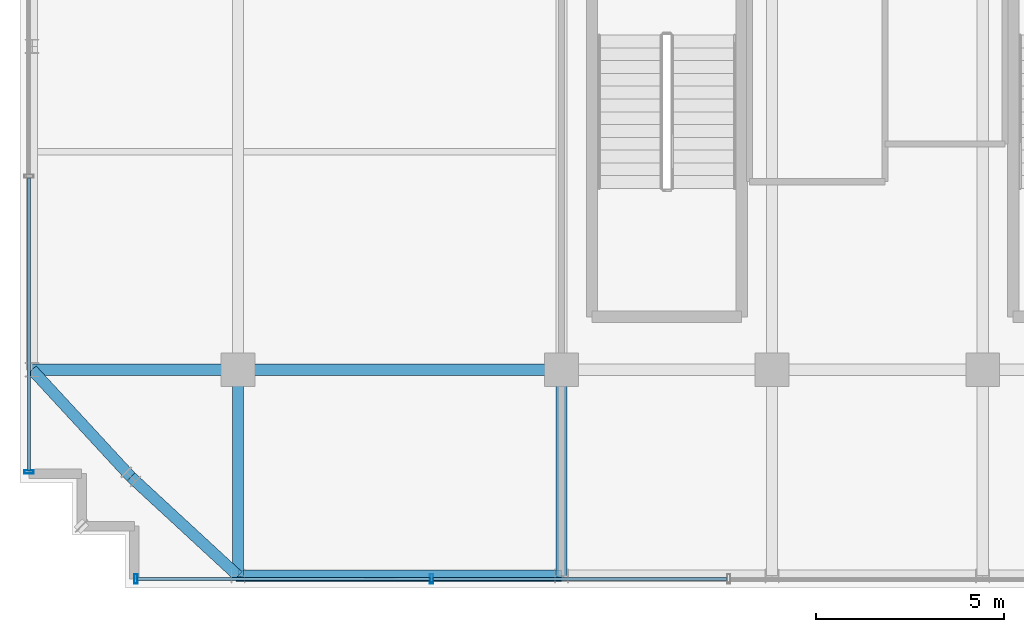
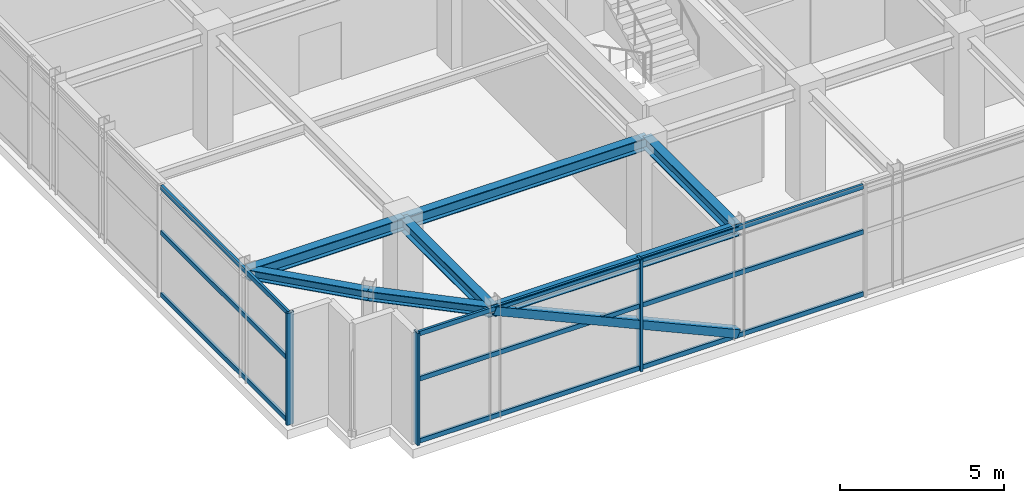
# One storey, part 4 of 26: 13 members, 7 beams, 2 elements without a shape of their own.
"""IFC4 building model written with IfcOpenShell, lengths in metres."""

from ifc_helpers import new_model, si_unit, direction, frame, origin, origin_2d, place, context, subcontext, project, spatial, hollow_rectangle, i_section, extrude, source, transform, mapped, material, material_profile, profile_set, type_object, element, aggregate, save


model = new_model("IFC4")

# Units and contexts
model_context = context("Model", 3, precision=1e-05, world=origin(), true_north=direction((0.0, 1.0)))
body_context = subcontext(model_context, "Body", "Model", "MODEL_VIEW")
ifc_project = project(units=[si_unit("LENGTHUNIT", "METRE"), si_unit("AREAUNIT", "SQUARE_METRE"), si_unit("VOLUMEUNIT", "CUBIC_METRE"), si_unit("PLANEANGLEUNIT", "RADIAN"), si_unit("MASSUNIT", "GRAM", prefix="KILO")], contexts=[model_context])

# Site, building, storey
site_placement = place(None, origin())
site = spatial("IfcSite", under=ifc_project, at=site_placement, CompositionType="ELEMENT")
building_placement = place(site_placement, origin())
building = spatial("IfcBuilding", under=site, at=building_placement, Name="Nahalor Promenade Grand Hotel", CompositionType="ELEMENT")
storey_placement = place(building_placement, frame((0.0, 0.0, 343.050048828125)))
storey = spatial("IfcBuildingStorey", under=building, at=storey_placement, Name="L88", CompositionType="ELEMENT", Elevation=343.050048828125)

# Beams
ifc_material_1 = material(Name="Steel S355JR", Category="steel")
ifc_material_profile_1 = material_profile(ifc_material_1, i_section(OverallWidth=0.3, OverallDepth=0.45, WebThickness=0.014, FlangeThickness=0.026, at=origin_2d()), Name="HEB 450")
ifc_profile_set_1 = profile_set([ifc_material_profile_1], Name="Steel S355JR")
beam_type_1 = type_object("IfcBeamType", Name="Beam-Girder-HEB450", PredefinedType="BEAM", material=ifc_profile_set_1)
shared_shape_1 = source(origin(), body_context, "Body", "SweptSolid", [
    extrude(i_section(OverallWidth=0.3, OverallDepth=0.45, WebThickness=0.014, FlangeThickness=0.026, at=origin_2d()), origin(), (0.0, 0.0, 1.0), 8.60009765625),
])
beam_1_placement = place(storey_placement, frame((-17.0, -17.0, 3.945068359375), z_axis=(1.0, 0.0, 0.0), x_axis=(0.0, 1.0, 0.0)))
element("IfcBeam", 1, at=beam_1_placement, inside=storey, type_object=beam_type_1, Name="BM-L88-GX-0-1", PredefinedType="BEAM", context=body_context, shape_type="MappedRepresentation", body=[
    mapped(shared_shape_1, transform((0.0, 0.0, 0.0), scale=1.0)),
])
shared_shape_2 = source(origin(), body_context, "Body", "SweptSolid", [
    extrude(i_section(OverallWidth=0.3, OverallDepth=0.45, WebThickness=0.014, FlangeThickness=0.026, at=origin_2d()), origin(), (0.0, 0.0, 1.0), 5.47998046875),
])
for number, where, z_axis, x_axis, name in (
    (2, (-22.47998046875, -17.0, 3.945068359375), (1.0, 0.0, 0.0), (0.0, 1.0, 0.0), "BM-L88-GX-0-0"),
    (3, (-17.0, -22.47998046875, 3.945068359375), (0.0, 1.0, 0.0), (-1.0, 0.0, 0.0), "BM-L88-GY-0-0"),
    (4, (-8.39990234375, -22.47998046875, 3.945068359375), (0.0, 1.0, 0.0), (-1.0, 0.0, 0.0), "BM-L88-GY-1-0"),
):
    element("IfcBeam", number, at=place(storey_placement, frame(where, z_axis=z_axis, x_axis=x_axis)), inside=storey, type_object=beam_type_1, Name=name, PredefinedType="BEAM", context=body_context, shape_type="MappedRepresentation", body=[
        mapped(shared_shape_2, transform((0.0, 0.0, 0.0), scale=1.0)),
    ])
ifc_material_profile_2 = material_profile(ifc_material_1, i_section(OverallWidth=0.3, OverallDepth=0.36, WebThickness=0.0125, FlangeThickness=0.0225, at=origin_2d()), Name="HEB 360")
ifc_profile_set_2 = profile_set([ifc_material_profile_2], Name="Steel S355JR")
beam_type_2 = type_object("IfcBeamType", Name="Beam-Spandrel-HEB360", PredefinedType="SPANDREL", material=ifc_profile_set_2)
shared_shape_3 = source(origin(), body_context, "Body", "SweptSolid", [
    extrude(i_section(OverallWidth=0.3, OverallDepth=0.36, WebThickness=0.0125, FlangeThickness=0.0225, at=origin_2d()), origin(), (0.0, 0.0, 1.0), 8.60009765625),
])
beam_2_placement = place(storey_placement, frame((-17.0, -22.47998046875, 3.989990234375), z_axis=(1.0, 0.0, 0.0), x_axis=(0.0, 1.0, 0.0)))
element("IfcBeam", 5, at=beam_2_placement, inside=storey, type_object=beam_type_2, Name="BM-L88-SP-S-0", PredefinedType="SPANDREL", context=body_context, shape_type="MappedRepresentation", body=[
    mapped(shared_shape_3, transform((0.0, 0.0, 0.0), scale=1.0)),
])
shared_shape_4 = source(origin(), body_context, "Body", "SweptSolid", [
    extrude(i_section(OverallWidth=0.3, OverallDepth=0.36, WebThickness=0.0125, FlangeThickness=0.0225, at=origin_2d()), origin(), (0.0, 0.0, 1.0), 3.878173828125),
])
for number, where, z_axis, x_axis, name in (
    (6, (-17.0, -22.47998046875, 3.989990234375), (-0.73492893846, 0.678144125843, 0.0), (-0.678144125843, -0.73492893846, 0.0), "BM-L88-SPC-SW-1"),
    (7, (-19.85009765625, -19.85009765625, 3.989990234375), (-0.678144125843, 0.73492893846, 0.0), (-0.73492893846, -0.678144125843, 0.0), "BM-L88-SPC-SW-2"),
):
    element("IfcBeam", number, at=place(storey_placement, frame(where, z_axis=z_axis, x_axis=x_axis)), inside=storey, type_object=beam_type_2, Name=name, PredefinedType="SPANDREL", context=body_context, shape_type="MappedRepresentation", body=[
        mapped(shared_shape_4, transform((0.0, 0.0, 0.0), scale=1.0)),
    ])

# Member
ifc_material_profile_3 = material_profile(ifc_material_1, hollow_rectangle(XDim=0.3, YDim=0.3, WallThickness=0.016, at=origin_2d()), Name="SHS 300x300x16")
ifc_profile_set_3 = profile_set([ifc_material_profile_3], Name="Steel S355JR")
member_type_1 = type_object("IfcMemberType", Name="Mem-CrownBrace-SHS300", PredefinedType="BRACE", material=ifc_profile_set_3)
shared_shape_5 = source(origin(), body_context, "Body", "SweptSolid", [
    extrude(hollow_rectangle(XDim=0.3, YDim=0.3, WallThickness=0.016, at=origin_2d()), origin(), (0.0, 0.0, 1.0), 9.4306640625),
])
member_1_placement = place(storey_placement, frame((-8.39990234375, -22.47998046875, 0.14990234375), z_axis=(-0.911918598846, 0.0, 0.410371135778), x_axis=(0.0, -1.0, 0.0)))
element("IfcMember", 8, at=member_1_placement, inside=storey, type_object=member_type_1, Name="EXO-L88-S-0", PredefinedType="BRACE", context=body_context, shape_type="MappedRepresentation", body=[
    mapped(shared_shape_5, transform((0.0, 0.0, 0.0), scale=1.0)),
])

# Curtain wall, members
ifc_material_2 = material(Name="Anodised Bronze Aluminium EN AW-6063 T6", Category="aluminium")
curtain_wall_type = type_object("IfcCurtainWallType", Name="CW5 Sky-Lobby & Observation Panoramic Curtain Wall", PredefinedType="USERDEFINED", material=ifc_material_2)
curtain_wall_1_placement = place(storey_placement, origin())
curtain_wall_1 = element("IfcCurtainWall", 9, at=curtain_wall_1_placement, inside=storey, type_object=curtain_wall_type, Name="L88 Curtain Wall CW-L88-S-1", ObjectType="UNITISED_CURTAIN_WALL", PredefinedType="USERDEFINED")
ifc_material_profile_4 = material_profile(ifc_material_2, hollow_rectangle(XDim=0.085, YDim=0.25, WallThickness=0.006, at=origin_2d()), Name="CWM 85x250x6")
ifc_profile_set_4 = profile_set([ifc_material_profile_4], Name="Anodised Bronze Aluminium EN AW-6063 T6")
member_type_2 = type_object("IfcMemberType", Name="CWM5 Panoramic Deep Mullion 85x250", PredefinedType="MULLION", material=ifc_profile_set_4)
shared_shape_6 = source(origin(), body_context, "Body", "SweptSolid", [
    extrude(hollow_rectangle(XDim=0.085, YDim=0.25, WallThickness=0.006, at=origin_2d()), origin(), (0.0, 0.0, 1.0), 4.169921875),
])
member_2_placement = place(storey_placement, frame((-19.717529296875, -22.56005859375, 0.0), z_axis=(0.0, 0.0, 1.0), x_axis=(1.0, 0.0, 0.0)))
member_2 = element("IfcMember", 10, at=member_2_placement, type_object=member_type_2, Name="CW-L88-S-1 Mullion 0", PredefinedType="MULLION", context=body_context, shape_type="MappedRepresentation", body=[
    mapped(shared_shape_6, transform((0.0, 0.0, 0.0), scale=1.0)),
])
member_3_placement = place(storey_placement, frame((-11.85595703125, -22.56005859375, 0.0), z_axis=(0.0, 0.0, 1.0), x_axis=(1.0, 0.0, 0.0)))
member_3 = element("IfcMember", 11, at=member_3_placement, type_object=member_type_2, Name="CW-L88-S-1 Mullion 1", PredefinedType="MULLION", context=body_context, shape_type="MappedRepresentation", body=[
    mapped(shared_shape_6, transform((0.0, 0.0, 0.0), scale=1.0)),
])

# Curtain wall, member
curtain_wall_2_placement = place(storey_placement, origin())
curtain_wall_2 = element("IfcCurtainWall", 12, at=curtain_wall_2_placement, inside=storey, type_object=curtain_wall_type, Name="L88 Curtain Wall CW-L88-W-1", ObjectType="UNITISED_CURTAIN_WALL", PredefinedType="USERDEFINED")
member_4_placement = place(storey_placement, frame((-22.56005859375, -19.717529296875, 0.0), z_axis=(0.0, 0.0, 1.0), x_axis=(0.0, 1.0, 0.0)))
member_4 = element("IfcMember", 13, at=member_4_placement, type_object=member_type_2, Name="CW-L88-W-1 Mullion 0", PredefinedType="MULLION", context=body_context, shape_type="MappedRepresentation", body=[
    mapped(shared_shape_6, transform((0.0, 0.0, 0.0), scale=1.0)),
])

# Member
ifc_material_profile_5 = material_profile(ifc_material_2, hollow_rectangle(XDim=0.085, YDim=0.17, WallThickness=0.005, at=origin_2d()), Name="CWT 85x170x5")
ifc_profile_set_5 = profile_set([ifc_material_profile_5], Name="Anodised Bronze Aluminium EN AW-6063 T6")
member_type_3 = type_object("IfcMemberType", Name="CWT5 Panoramic Transom 85x170", PredefinedType="USERDEFINED", material=ifc_profile_set_5)
shared_shape_7 = source(origin(), body_context, "Body", "SweptSolid", [
    extrude(hollow_rectangle(XDim=0.085, YDim=0.17, WallThickness=0.005, at=origin_2d()), origin(), (0.0, 0.0, 1.0), 7.776611328125),
])
member_5_placement = place(storey_placement, frame((-19.675048828125, -22.56005859375, 0.0849609375), z_axis=(1.0, 0.0, 0.0), x_axis=(0.0, 1.0, 0.0)))
member_5 = element("IfcMember", 14, at=member_5_placement, type_object=member_type_3, Name="CW-L88-S-1 Transom 0-0", ObjectType="TRANSOM", PredefinedType="USERDEFINED", context=body_context, shape_type="MappedRepresentation", body=[
    mapped(shared_shape_7, transform((0.0, 0.0, 0.0), scale=1.0)),
])

member_6_placement = place(storey_placement, frame((-19.675048828125, -22.56005859375, 2.39990234375), z_axis=(1.0, 0.0, 0.0), x_axis=(0.0, 1.0, 0.0)))
member_6 = element("IfcMember", 15, at=member_6_placement, type_object=member_type_3, Name="CW-L88-S-1 Transom 0-1", ObjectType="TRANSOM", PredefinedType="USERDEFINED", context=body_context, shape_type="MappedRepresentation", body=[
    mapped(shared_shape_7, transform((0.0, 0.0, 0.0), scale=1.0)),
])

member_7_placement = place(storey_placement, frame((-19.675048828125, -22.56005859375, 4.0849609375), z_axis=(1.0, 0.0, 0.0), x_axis=(0.0, 1.0, 0.0)))
member_7 = element("IfcMember", 16, at=member_7_placement, type_object=member_type_3, Name="CW-L88-S-1 Transom 0-2", ObjectType="TRANSOM", PredefinedType="USERDEFINED", context=body_context, shape_type="MappedRepresentation", body=[
    mapped(shared_shape_7, transform((0.0, 0.0, 0.0), scale=1.0)),
])

member_8_placement = place(storey_placement, frame((-22.56005859375, -19.675048828125, 0.0849609375), z_axis=(0.0, 1.0, 0.0), x_axis=(-1.0, 0.0, 0.0)))
member_8 = element("IfcMember", 17, at=member_8_placement, type_object=member_type_3, Name="CW-L88-W-1 Transom 0-0", ObjectType="TRANSOM", PredefinedType="USERDEFINED", context=body_context, shape_type="MappedRepresentation", body=[
    mapped(shared_shape_7, transform((0.0, 0.0, 0.0), scale=1.0)),
])

member_9_placement = place(storey_placement, frame((-22.56005859375, -19.675048828125, 2.39990234375), z_axis=(0.0, 1.0, 0.0), x_axis=(-1.0, 0.0, 0.0)))
member_9 = element("IfcMember", 18, at=member_9_placement, type_object=member_type_3, Name="CW-L88-W-1 Transom 0-1", ObjectType="TRANSOM", PredefinedType="USERDEFINED", context=body_context, shape_type="MappedRepresentation", body=[
    mapped(shared_shape_7, transform((0.0, 0.0, 0.0), scale=1.0)),
])

member_10_placement = place(storey_placement, frame((-22.56005859375, -19.675048828125, 4.0849609375), z_axis=(0.0, 1.0, 0.0), x_axis=(-1.0, 0.0, 0.0)))
member_10 = element("IfcMember", 19, at=member_10_placement, type_object=member_type_3, Name="CW-L88-W-1 Transom 0-2", ObjectType="TRANSOM", PredefinedType="USERDEFINED", context=body_context, shape_type="MappedRepresentation", body=[
    mapped(shared_shape_7, transform((0.0, 0.0, 0.0), scale=1.0)),
])

aggregate(curtain_wall_2, [member_4, member_8, member_9, member_10])

shared_shape_8 = source(origin(), body_context, "Body", "SweptSolid", [
    extrude(hollow_rectangle(XDim=0.085, YDim=0.17, WallThickness=0.005, at=origin_2d()), origin(), (0.0, 0.0, 1.0), 7.819091796875),
])
member_11_placement = place(storey_placement, frame((-11.8134765625, -22.56005859375, 0.0849609375), z_axis=(1.0, 0.0, 0.0), x_axis=(0.0, 1.0, 0.0)))
member_11 = element("IfcMember", 20, at=member_11_placement, type_object=member_type_3, Name="CW-L88-S-1 Transom 1-0", ObjectType="TRANSOM", PredefinedType="USERDEFINED", context=body_context, shape_type="MappedRepresentation", body=[
    mapped(shared_shape_8, transform((0.0, 0.0, 0.0), scale=1.0)),
])

member_12_placement = place(storey_placement, frame((-11.8134765625, -22.56005859375, 2.39990234375), z_axis=(1.0, 0.0, 0.0), x_axis=(0.0, 1.0, 0.0)))
member_12 = element("IfcMember", 21, at=member_12_placement, type_object=member_type_3, Name="CW-L88-S-1 Transom 1-1", ObjectType="TRANSOM", PredefinedType="USERDEFINED", context=body_context, shape_type="MappedRepresentation", body=[
    mapped(shared_shape_8, transform((0.0, 0.0, 0.0), scale=1.0)),
])

member_13_placement = place(storey_placement, frame((-11.8134765625, -22.56005859375, 4.0849609375), z_axis=(1.0, 0.0, 0.0), x_axis=(0.0, 1.0, 0.0)))
member_13 = element("IfcMember", 22, at=member_13_placement, type_object=member_type_3, Name="CW-L88-S-1 Transom 1-2", ObjectType="TRANSOM", PredefinedType="USERDEFINED", context=body_context, shape_type="MappedRepresentation", body=[
    mapped(shared_shape_8, transform((0.0, 0.0, 0.0), scale=1.0)),
])

aggregate(curtain_wall_1, [member_2, member_3, member_5, member_6, member_7, member_11, member_12, member_13])

save(model, "model.ifc")
